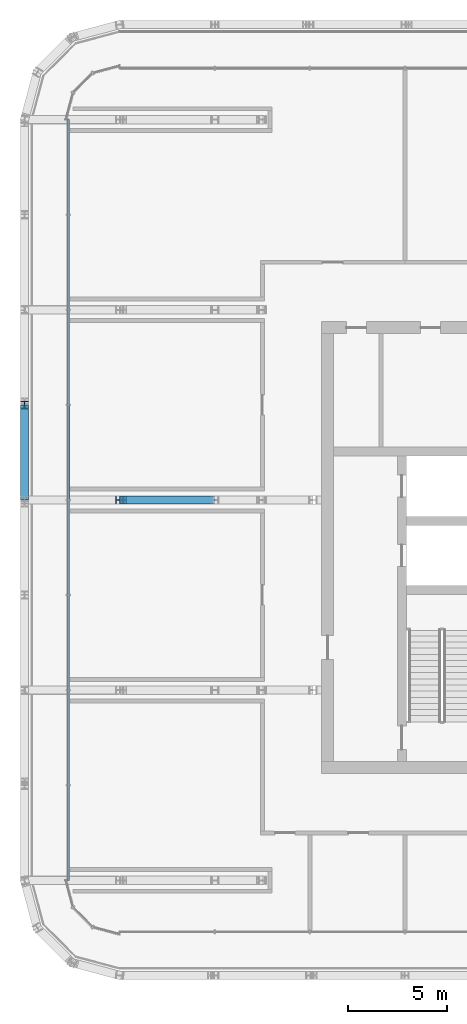
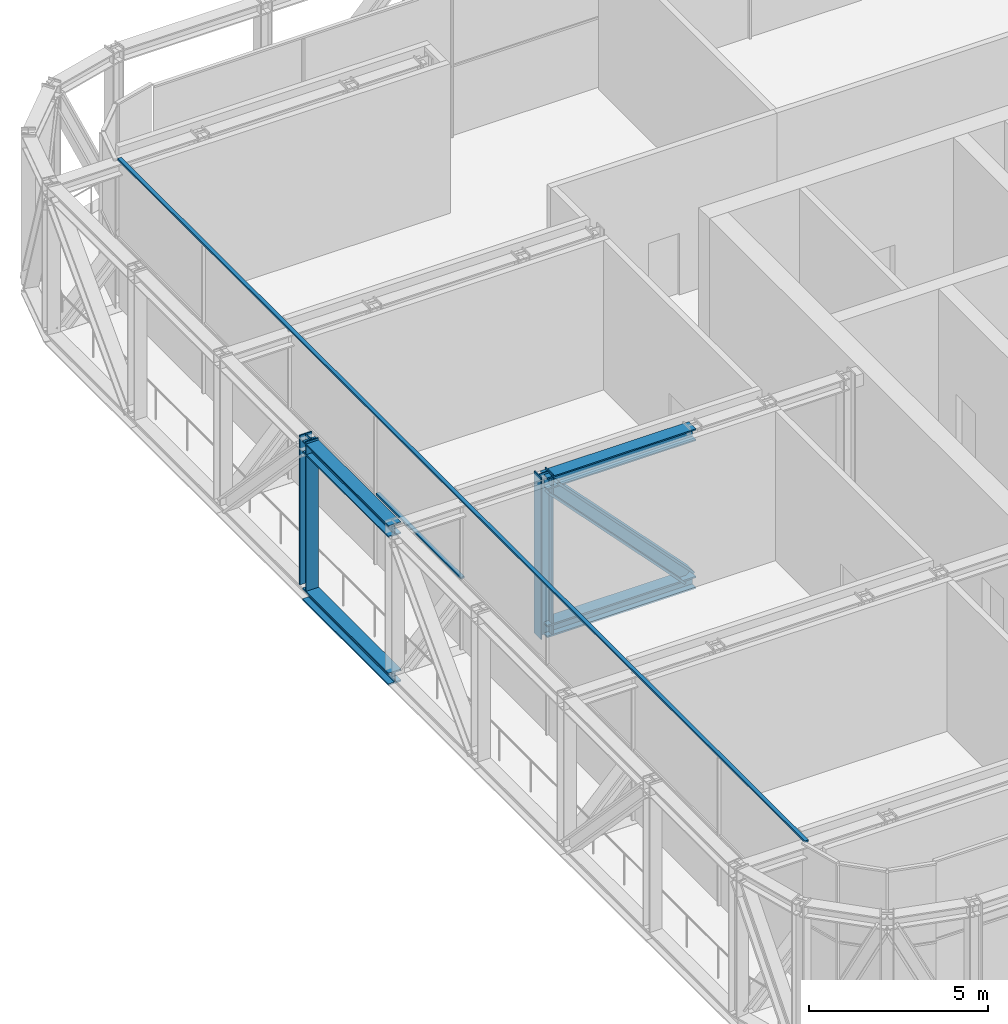
# One storey, part 5 of 26: 9 members, 1 element without a shape of its own.
"""IFC4 building model written with IfcOpenShell, lengths in metres."""

from ifc_helpers import new_model, si_unit, direction, frame, origin, origin_2d, place, context, subcontext, project, spatial, rectangle, i_section, extrude, material, layer, layer_set, material_profile, profile_set, type_object, element, aggregate, save


model = new_model("IFC4")

# Units and contexts
model_context = context("Model", 3, precision=1e-05, world=origin(), true_north=direction((0.0, 1.0)))
body_context = subcontext(model_context, "Body", "Model", "MODEL_VIEW")
ifc_project = project(units=[si_unit("LENGTHUNIT", "METRE"), si_unit("AREAUNIT", "SQUARE_METRE"), si_unit("VOLUMEUNIT", "CUBIC_METRE"), si_unit("PLANEANGLEUNIT", "RADIAN"), si_unit("MASSUNIT", "GRAM", prefix="KILO")], contexts=[model_context])

# Site, building, storey
site_placement = place(None, origin())
site = spatial("IfcSite", under=ifc_project, at=site_placement, CompositionType="ELEMENT")
building_placement = place(site_placement, origin())
building = spatial("IfcBuilding", under=site, at=building_placement, Name="Madar Terraces", CompositionType="ELEMENT")
storey_placement = place(building_placement, frame((0.0, 0.0, 233.300048828125)))
storey = spatial("IfcBuildingStorey", under=building, at=storey_placement, Name="L61", CompositionType="ELEMENT", Elevation=233.300048828125)

# Members
ifc_material_1 = material(Name="Steel ASTM A992 Grade 50", Category="steel")
ifc_material_profile_1 = material_profile(ifc_material_1, i_section(OverallWidth=0.408935546875, OverallDepth=0.424072265625, WebThickness=0.03271484375, FlangeThickness=0.052490234375, at=origin_2d()), Name="W14x283")
ifc_profile_set_1 = profile_set([ifc_material_profile_1], Name="Steel ASTM A992 Grade 50")
member_type_1 = type_object("IfcMemberType", Name="BC8 W14x283", PredefinedType="CHORD", material=ifc_profile_set_1)
for number, where, z_axis, x_axis, name in (
    (1, (0.0, 33.60009765625, -0.2080078125), (0.0, -1.0, 0.0), (1.0, 0.0, 0.0), "Exoskeleton truss ring bottom chord BC8"),
    (2, (4.800048828125, 28.800048828125, -0.2080078125), (1.0, 0.0, 0.0), (0.0, 1.0, 0.0), "Exoskeleton truss cross W28.8 bottom chord BC8"),
):
    element("IfcMember", number, at=place(storey_placement, frame(where, z_axis=z_axis, x_axis=x_axis)), inside=storey, type_object=member_type_1, Name=name, PredefinedType="CHORD", context=body_context, shape_type="SweptSolid", body=[
        extrude(i_section(OverallWidth=0.408935546875, OverallDepth=0.424072265625, WebThickness=0.03271484375, FlangeThickness=0.052490234375, at=origin_2d()), origin(), (0.0, 0.0, 1.0), 4.800048828125),
    ])

# Curtain wall, members
ifc_material_2 = material(Name="Glass, ceramic frit dark grey, with black aluminium frame", Category="aluminium")
ifc_layer = layer(ifc_material_2, 0.199951171875)
ifc_layer_set = layer_set([ifc_layer], Name="Facade curtain wall, tall glazing")
curtain_wall_type = type_object("IfcCurtainWallType", Name="Facade curtain wall, tall glazing", PredefinedType="NOTDEFINED", material=ifc_layer_set)
curtain_wall_placement = place(storey_placement, origin())
curtain_wall = element("IfcCurtainWall", 3, at=curtain_wall_placement, inside=storey, type_object=curtain_wall_type, Name="Outer skin curtain wall west bay 1", PredefinedType="NOTDEFINED")
ifc_material_3 = material(Name="Aluminium, black anodised", Category="aluminium")
ifc_material_profile_2 = material_profile(ifc_material_3, rectangle(XDim=0.1201171875, YDim=0.06005859375, at=origin_2d()), Name="Facade transom 60x120")
ifc_profile_set_2 = profile_set([ifc_material_profile_2], Name="Aluminium, black anodised")
member_type_2 = type_object("IfcMemberType", Name="Facade transom 60x120", PredefinedType="USERDEFINED", material=ifc_profile_set_2)
member_1_placement = place(storey_placement, frame((2.199951171875, 48.0, 5.070068359375), z_axis=(0.0, -1.0, 0.0), x_axis=(1.0, 0.0, 0.0)))
member_1 = element("IfcMember", 4, at=member_1_placement, type_object=member_type_2, Name="Transom 1", ObjectType="TRANSOM", PredefinedType="USERDEFINED", context=body_context, shape_type="SweptSolid", body=[
    extrude(rectangle(XDim=0.1201171875, YDim=0.06005859375, at=origin_2d()), origin(), (0.0, 0.0, 1.0), 38.39990234375),
])
member_2_placement = place(storey_placement, frame((2.199951171875, 33.570068359375, 2.39990234375), z_axis=(0.0, -1.0, 0.0), x_axis=(1.0, 0.0, 0.0)))
member_2 = element("IfcMember", 5, at=member_2_placement, type_object=member_type_2, Name="Transom 5", ObjectType="TRANSOM", PredefinedType="USERDEFINED", context=body_context, shape_type="SweptSolid", body=[
    extrude(rectangle(XDim=0.1201171875, YDim=0.06005859375, at=origin_2d()), origin(), (0.0, 0.0, 1.0), 4.739990234375),
])
aggregate(curtain_wall, [member_1, member_2])

# Members
ifc_material_4 = material(Name="Steel ASTM A992 Grade 50", Category="steel")
ifc_material_profile_3 = material_profile(ifc_material_4, i_section(OverallWidth=0.40380859375, OverallDepth=0.406494140625, WebThickness=0.027099609375, FlangeThickness=0.043701171875, at=origin_2d()), Name="W14x233")
ifc_profile_set_3 = profile_set([ifc_material_profile_3], Name="Steel ASTM A992 Grade 50")
member_type_3 = type_object("IfcMemberType", Name="TC8 W14x233", PredefinedType="CHORD", material=ifc_profile_set_3)
for number, where, z_axis, x_axis, name in (
    (6, (0.0, 33.60009765625, 4.82666015625), (0.0, -1.0, 0.0), (1.0, 0.0, 0.0), "Exoskeleton truss ring top chord TC8"),
    (7, (4.800048828125, 28.800048828125, 4.82666015625), (1.0, 0.0, 0.0), (0.0, 1.0, 0.0), "Exoskeleton truss cross W28.8 top chord TC8"),
):
    element("IfcMember", number, at=place(storey_placement, frame(where, z_axis=z_axis, x_axis=x_axis)), inside=storey, type_object=member_type_3, Name=name, PredefinedType="CHORD", context=body_context, shape_type="SweptSolid", body=[
        extrude(i_section(OverallWidth=0.40380859375, OverallDepth=0.406494140625, WebThickness=0.027099609375, FlangeThickness=0.043701171875, at=origin_2d()), origin(), (0.0, 0.0, 1.0), 4.800048828125),
    ])
ifc_material_5 = material(Name="Steel ASTM A992 Grade 50", Category="steel")
ifc_material_profile_4 = material_profile(ifc_material_5, i_section(OverallWidth=0.419189453125, OverallDepth=0.45458984375, WebThickness=0.042236328125, FlangeThickness=0.067626953125, at=origin_2d()), Name="W14x370")
ifc_profile_set_4 = profile_set([ifc_material_profile_4], Name="Steel ASTM A992 Grade 50")
member_type_4 = type_object("IfcMemberType", Name="TD8 W14x370", PredefinedType="BRACE", material=ifc_profile_set_4)
member_3_placement = place(storey_placement, frame((4.99365234375, 28.800048828125, 4.62353515625), z_axis=(0.690036191516, 0.0, -0.723774864442), x_axis=(0.0, 1.0, 0.0)))
element("IfcMember", 8, at=member_3_placement, inside=storey, type_object=member_type_4, Name="Exoskeleton truss cross W28.8 diagonal TD8", PredefinedType="BRACE", context=body_context, shape_type="SweptSolid", body=[
    extrude(i_section(OverallWidth=0.419189453125, OverallDepth=0.45458984375, WebThickness=0.042236328125, FlangeThickness=0.067626953125, at=origin_2d()), origin(), (0.0, 0.0, 1.0), 6.38232421875),
])
ifc_material_6 = material(Name="Steel ASTM A992 Grade 50", Category="steel")
ifc_material_profile_5 = material_profile(ifc_material_6, i_section(OverallWidth=0.398681640625, OverallDepth=0.393798828125, WebThickness=0.022705078125, FlangeThickness=0.03662109375, at=origin_2d()), Name="W14x193")
ifc_profile_set_5 = profile_set([ifc_material_profile_5], Name="Steel ASTM A992 Grade 50")
member_type_5 = type_object("IfcMemberType", Name="TV8 W14x193", PredefinedType="POST", material=ifc_profile_set_5)
member_4_placement = place(storey_placement, frame((0.0, 33.60009765625, 0.004150390625), z_axis=(0.0, 0.0, 1.0), x_axis=(1.0, 0.0, 0.0)))
element("IfcMember", 9, at=member_4_placement, inside=storey, type_object=member_type_5, Name="Exoskeleton truss ring post TV8", PredefinedType="POST", context=body_context, shape_type="SweptSolid", body=[
    extrude(i_section(OverallWidth=0.398681640625, OverallDepth=0.393798828125, WebThickness=0.022705078125, FlangeThickness=0.03662109375, at=origin_2d()), origin(), (0.0, 0.0, 1.0), 5.095703125),
])
member_5_placement = place(storey_placement, frame((4.800048828125, 28.800048828125, -0.420166015625), z_axis=(0.0, 0.0, 1.0), x_axis=(0.0, 1.0, 0.0)))
element("IfcMember", 10, at=member_5_placement, inside=storey, type_object=member_type_5, Name="Exoskeleton truss cross W28.8 post TV8", PredefinedType="POST", context=body_context, shape_type="SweptSolid", body=[
    extrude(i_section(OverallWidth=0.398681640625, OverallDepth=0.393798828125, WebThickness=0.022705078125, FlangeThickness=0.03662109375, at=origin_2d()), origin(), (0.0, 0.0, 1.0), 5.52001953125),
])

save(model, "model.ifc")
